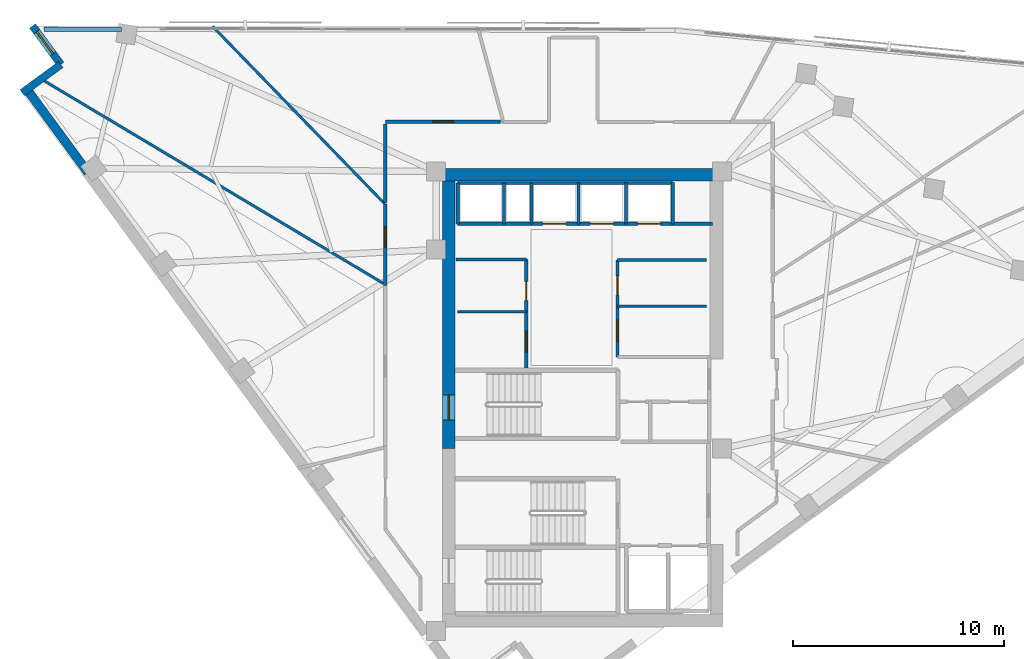
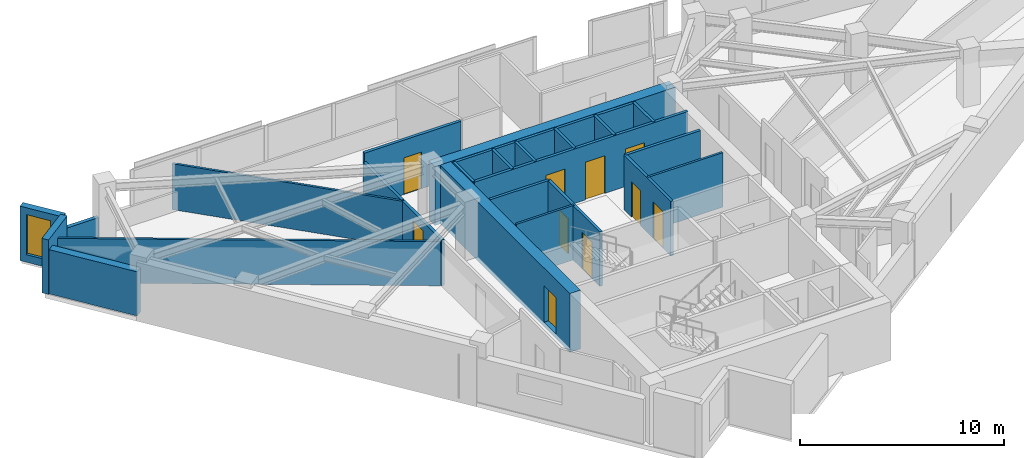
# One storey, part 9 of 14: 26 walls, 10 doors, 1 window, 11 openings.
"""IFC4 building model written with IfcOpenShell, lengths in metres."""

from ifc_helpers import new_model, si_unit, direction, frame, frame_2d, origin, place, context, subcontext, project, spatial, rectangle, extrude, material, layer, layer_set, type_object, element, fill, save


model = new_model("IFC4")

# Units and contexts
model_context = context("Model", 3, precision=1e-05, world=origin(), true_north=direction((0.0, 1.0)))
body_context = subcontext(model_context, "Body", "Model", "MODEL_VIEW")
ifc_project = project(units=[si_unit("LENGTHUNIT", "METRE"), si_unit("AREAUNIT", "SQUARE_METRE"), si_unit("VOLUMEUNIT", "CUBIC_METRE"), si_unit("PLANEANGLEUNIT", "RADIAN"), si_unit("MASSUNIT", "GRAM", prefix="KILO")], contexts=[model_context])

# Site, building, storey
site_placement = place(None, origin())
site = spatial("IfcSite", under=ifc_project, at=site_placement, CompositionType="ELEMENT")
building_placement = place(site_placement, origin())
building = spatial("IfcBuilding", under=site, at=building_placement, Name="Narakoshi Arena Tower", CompositionType="ELEMENT")
storey_placement = place(building_placement, frame((0.0, 0.0, 236.10009765625)))
storey = spatial("IfcBuildingStorey", under=building, at=storey_placement, Name="L64", CompositionType="ELEMENT", Elevation=236.10009765625)

# Wall, opening, door
ifc_material_1 = material(Name="Concrete C50/60", Category="concrete")
ifc_layer_1 = layer(ifc_material_1, 0.60009765625)
ifc_layer_set_1 = layer_set([ifc_layer_1], Name="Concrete C50/60")
wall_type_1 = type_object("IfcWallType", Name="WL-CORE-600", PredefinedType="SHEAR", material=ifc_layer_set_1)
wall_1_placement = place(storey_placement, frame((72.60009765625, 43.35009765625, -0.260009765625), z_axis=(0.0, 0.0, 1.0), x_axis=(0.0, 1.0, 0.0)))
wall_1 = element("IfcWall", 1, at=wall_1_placement, inside=storey, type_object=wall_type_1, Name="L64 Main Core Shear Wall CW-MN-W", PredefinedType="SHEAR", context=body_context, shape_type="SweptSolid", body=[
    extrude(rectangle(XDim=12.699951171875, YDim=0.60009765625, at=frame_2d((6.35009765625, 0.0))), origin(), (0.0, 0.0, 1.0), 3.52001953125),
])
opening_1_placement = place(wall_1_placement, frame((1.35009765625, 0.0, 0.260009765625)))
opening_1 = element("IfcOpeningElement", 2, at=opening_1_placement, cuts=wall_1, Name="Opening D-03", PredefinedType="OPENING", context=body_context, shape_type="SweptSolid", body=[
    extrude(rectangle(XDim=1.199951171875, YDim=2.199951171875, at=frame_2d((0.60009765625, 1.10009765625))), frame((0.0, 0.31005859375, 0.0), z_axis=(0.0, -1.0, 0.0), x_axis=(1.0, 0.0, 0.0)), (0.0, 0.0, 1.0), 0.6201171875),
])
ifc_material_2 = material(Name="Painted galvanized steel", Category="steel")
door_type_1 = type_object("IfcDoorType", Name="DR-STR-1200", OperationType="NOTDEFINED", PredefinedType="USERDEFINED", material=ifc_material_2)
door_1_placement = place(opening_1_placement, frame((1.199951171875, 0.0, 0.0), z_axis=(0.0, 0.0, 1.0), x_axis=(-1.0, 0.0, 0.0)))
door_1 = element("IfcDoor", 3, at=door_1_placement, inside=storey, type_object=door_type_1, Name="DR-L64-006", ObjectType="EXITDOOR", OperationType="SINGLE_SWING_LEFT", OverallHeight=2.199951171875, OverallWidth=1.199951171875, PredefinedType="USERDEFINED", context=body_context, shape_type="SweptSolid", body=[
    extrude(rectangle(XDim=1.199951171875, YDim=2.199951171875, at=frame_2d((0.60009765625, 1.10009765625))), frame((0.0, 0.02490234375, 0.0), z_axis=(0.0, -1.0, 0.0), x_axis=(1.0, 0.0, 0.0)), (0.0, 0.0, 1.0), 0.050048828125),
])
fill(opening_1, door_1)

# Wall
wall_2_placement = place(storey_placement, frame((72.0, 56.35009765625, -0.260009765625), z_axis=(0.0, 0.0, 1.0), x_axis=(1.0, 0.0, 0.0)))
element("IfcWall", 4, at=wall_2_placement, inside=storey, type_object=wall_type_1, Name="L64 Main Core Shear Wall CW-MN-N", PredefinedType="SHEAR", context=body_context, shape_type="SweptSolid", body=[
    extrude(rectangle(XDim=13.60009765625, YDim=0.60009765625, at=frame_2d((6.800048828125, 0.0))), origin(), (0.0, 0.0, 1.0), 3.52001953125),
])

# Wall, opening, door
ifc_material_3 = material(Name="Gypsum plasterboard fire-rated partition")
ifc_layer_2 = layer(ifc_material_3, 0.1650390625)
ifc_layer_set_2 = layer_set([ifc_layer_2], Name="Gypsum plasterboard fire-rated partition")
wall_type_2 = type_object("IfcWallType", Name="WL-CORR-165", PredefinedType="PARTITIONING", material=ifc_layer_set_2)
wall_3_placement = place(storey_placement, frame((69.588623046875, 54.960693359375, 0.0), z_axis=(0.0, 0.0, 1.0), x_axis=(0.0, -1.0, 0.0)))
wall_3 = element("IfcWall", 5, at=wall_3_placement, inside=storey, type_object=wall_type_2, Name="L64 Corridor Partition 07-1", PredefinedType="PARTITIONING", context=body_context, shape_type="SweptSolid", body=[
    extrude(rectangle(XDim=3.866455078125, YDim=0.1650390625, at=frame_2d((1.93310546875, 0.0))), origin(), (0.0, 0.0, 1.0), 2.744873046875),
])
opening_2_placement = place(wall_3_placement, frame((1.063232421875, 0.0, 0.0)))
opening_2 = element("IfcOpeningElement", 6, at=opening_2_placement, cuts=wall_3, Name="Opening D-06", PredefinedType="OPENING", context=body_context, shape_type="SweptSolid", body=[
    extrude(rectangle(XDim=1.0, YDim=2.199951171875, at=frame_2d((0.5, 1.10009765625))), frame((0.0, 0.092529296875, 0.0), z_axis=(0.0, -1.0, 0.0), x_axis=(1.0, 0.0, 0.0)), (0.0, 0.0, 1.0), 0.18505859375),
])
ifc_material_4 = material(Name="Stained oak solid-core timber", Category="wood")
door_type_2 = type_object("IfcDoorType", Name="DR-OFF-1000", OperationType="NOTDEFINED", PredefinedType="DOOR", material=ifc_material_4)
door_2_placement = place(opening_2_placement, frame((1.0, 0.0, 0.0), z_axis=(0.0, 0.0, 1.0), x_axis=(-1.0, 0.0, 0.0)))
door_2 = element("IfcDoor", 7, at=door_2_placement, inside=storey, type_object=door_type_2, Name="DR-L64-023", OperationType="SINGLE_SWING_RIGHT", OverallHeight=2.199951171875, OverallWidth=1.0, PredefinedType="DOOR", context=body_context, shape_type="SweptSolid", body=[
    extrude(rectangle(XDim=1.0, YDim=2.199951171875, at=frame_2d((0.5, 1.10009765625))), frame((0.0, 0.02490234375, 0.0), z_axis=(0.0, -1.0, 0.0), x_axis=(1.0, 0.0, 0.0)), (0.0, 0.0, 1.0), 0.050048828125),
])
fill(opening_2, door_2)

wall_4_placement = place(storey_placement, frame((75.0595703125, 58.861328125, 0.0), z_axis=(0.0, 0.0, 1.0), x_axis=(-1.0, 0.0, 0.0)))
wall_4 = element("IfcWall", 8, at=wall_4_placement, inside=storey, type_object=wall_type_2, Name="L64 Corridor Partition 08-1", PredefinedType="PARTITIONING", context=body_context, shape_type="SweptSolid", body=[
    extrude(rectangle(XDim=5.470947265625, YDim=0.1650390625, at=frame_2d((2.7353515625, 0.0))), origin(), (0.0, 0.0, 1.0), 3.260009765625),
])
opening_3_placement = place(wall_4_placement, frame((2.235595703125, 0.0, 0.0)))
opening_3 = element("IfcOpeningElement", 9, at=opening_3_placement, cuts=wall_4, Name="Opening D-06", PredefinedType="OPENING", context=body_context, shape_type="SweptSolid", body=[
    extrude(rectangle(XDim=1.0, YDim=2.199951171875, at=frame_2d((0.5, 1.10009765625))), frame((0.0, 0.092529296875, 0.0), z_axis=(0.0, -1.0, 0.0), x_axis=(1.0, 0.0, 0.0)), (0.0, 0.0, 1.0), 0.18505859375),
])
door_3_placement = place(opening_3_placement, frame((1.0, 0.0, 0.0), z_axis=(0.0, 0.0, 1.0), x_axis=(-1.0, 0.0, 0.0)))
door_3 = element("IfcDoor", 10, at=door_3_placement, inside=storey, type_object=door_type_2, Name="DR-L64-024", OperationType="SINGLE_SWING_LEFT", OverallHeight=2.199951171875, OverallWidth=1.0, PredefinedType="DOOR", context=body_context, shape_type="SweptSolid", body=[
    extrude(rectangle(XDim=1.0, YDim=2.199951171875, at=frame_2d((0.5, 1.10009765625))), frame((0.0, 0.02490234375, 0.0), z_axis=(0.0, -1.0, 0.0), x_axis=(1.0, 0.0, 0.0)), (0.0, 0.0, 1.0), 0.050048828125),
])
fill(opening_3, door_3)

# Walls
wall_5_placement = place(storey_placement, frame((69.588623046875, 58.766845703125, 0.0), z_axis=(0.0, 0.0, 1.0), x_axis=(0.0, -1.0, 0.0)))
element("IfcWall", 11, at=wall_5_placement, inside=storey, type_object=wall_type_2, Name="L64 Corridor Partition 08-2", PredefinedType="PARTITIONING", context=body_context, shape_type="SweptSolid", body=[
    extrude(rectangle(XDim=3.724853515625, YDim=0.1650390625, at=frame_2d((1.8623046875, 0.0))), origin(), (0.0, 0.0, 1.0), 2.744873046875),
])
ifc_material_5 = material(Name="Precast concrete C45/55", Category="concrete")
ifc_layer_3 = layer(ifc_material_5, 0.25)
ifc_layer_set_3 = layer_set([ifc_layer_3], Name="Precast concrete C45/55")
wall_type_3 = type_object("IfcWallType", Name="WL-PARA-250", PredefinedType="PARAPET", material=ifc_layer_set_3)
wall_6_placement = place(storey_placement, frame((57.064208984375, 63.240966796875, 0.0), z_axis=(0.0, 0.0, 1.0), x_axis=(-0.999998274159, 0.001857869529, 0.0)))
element("IfcWall", 12, at=wall_6_placement, inside=storey, type_object=wall_type_3, Name="L64 Hypotenuse Sill Upstand Parapet 2-02", PredefinedType="PARAPET", context=body_context, shape_type="SweptSolid", body=[
    extrude(rectangle(XDim=3.679443359375, YDim=0.199951171875, at=frame_2d((1.83984375, 0.0))), origin(), (0.0, 0.0, 1.0), 1.14990234375),
])
ifc_layer_4 = layer(ifc_material_3, 0.125)
ifc_layer_set_4 = layer_set([ifc_layer_4], Name="Gypsum plasterboard fire-rated partition")
wall_type_4 = type_object("IfcWallType", Name="WL-PART-125", PredefinedType="PARTITIONING", material=ifc_layer_set_4)
wall_7_placement = place(storey_placement, frame((73.0, 49.85009765625, 0.0), z_axis=(0.0, 0.0, 1.0), x_axis=(1.0, 0.0, 0.0)))
element("IfcWall", 13, at=wall_7_placement, inside=storey, type_object=wall_type_4, Name="L64 Core Wall RCL-LR-D0", PredefinedType="PARTITIONING", context=body_context, shape_type="SweptSolid", body=[
    extrude(rectangle(XDim=3.280029296875, YDim=0.125, at=frame_2d((1.64013671875, 0.0))), origin(), (0.0, 0.0, 1.0), 3.260009765625),
])
wall_8_placement = place(storey_placement, frame((80.60009765625, 50.10009765625, 0.0), z_axis=(0.0, 0.0, 1.0), x_axis=(1.0, 0.0, 0.0)))
element("IfcWall", 14, at=wall_8_placement, inside=storey, type_object=wall_type_4, Name="L64 Core Wall RCL-MR-D", PredefinedType="PARTITIONING", context=body_context, shape_type="SweptSolid", body=[
    extrude(rectangle(XDim=4.219970703125, YDim=0.125, at=frame_2d((2.10986328125, 0.0))), origin(), (0.0, 0.0, 1.0), 3.260009765625),
])
wall_9_placement = place(storey_placement, frame((61.384521484375, 63.393310546875, 0.0), z_axis=(0.0, 0.0, 1.0), x_axis=(0.696238655878, -0.717810374724, 0.0)))
element("IfcWall", 15, at=wall_9_placement, inside=storey, type_object=wall_type_4, Name="L64 Inter-Room Partition 07-08", PredefinedType="PARTITIONING", context=body_context, shape_type="SweptSolid", body=[
    extrude(rectangle(XDim=11.747802734375, YDim=0.125, at=frame_2d((5.8740234375, 0.0))), origin(), (0.0, 0.0, 1.0), 2.744873046875),
])
wall_10_placement = place(storey_placement, frame((69.494140625, 51.1923828125, 0.0), z_axis=(0.0, 0.0, 1.0), x_axis=(-0.858567015672, 0.512701355177, 0.0)))
element("IfcWall", 16, at=wall_10_placement, inside=storey, type_object=wall_type_4, Name="L64 Inter-Room Partition 07-09", PredefinedType="PARTITIONING", context=body_context, shape_type="SweptSolid", body=[
    extrude(rectangle(XDim=18.919677734375, YDim=0.125, at=frame_2d((9.4599609375, 0.0))), origin(), (0.0, 0.0, 1.0), 2.64501953125),
])
ifc_layer_5 = layer(ifc_material_5, 0.419921875)
ifc_layer_set_5 = layer_set([ifc_layer_5], Name="Precast concrete C45/55")
wall_type_5 = type_object("IfcWallType", Name="WL-POD-420", PredefinedType="SOLIDWALL", material=ifc_layer_set_5)
wall_11_placement = place(storey_placement, frame((52.578857421875, 60.400390625, 0.0), z_axis=(0.0, 0.0, 1.0), x_axis=(0.591311800505, -0.806443026248, 0.0)))
element("IfcWall", 17, at=wall_11_placement, inside=storey, type_object=wall_type_5, Name="L64 Architectural Concrete Facade Wall LEGB-1", PredefinedType="SOLIDWALL", context=body_context, shape_type="SweptSolid", body=[
    extrude(rectangle(XDim=4.89794921875, YDim=0.419921875, at=frame_2d((2.448974609375, 0.0))), origin(), (0.0, 0.0, 1.0), 2.64501953125),
])

# Wall, opening, window
wall_12_placement = place(storey_placement, frame((52.84521484375, 63.40869140625, 0.0), z_axis=(0.0, 0.0, 1.0), x_axis=(0.591251685745, -0.806487101015, 0.0)))
wall_12 = element("IfcWall", 18, at=wall_12_placement, inside=storey, type_object=wall_type_5, Name="L64 Re-Entrant Corner Notch Wall NTN-1", PredefinedType="SOLIDWALL", context=body_context, shape_type="SweptSolid", body=[
    extrude(rectangle(XDim=2.2685546875, YDim=0.360107421875, at=frame_2d((1.13427734375, 0.0))), origin(), (0.0, 0.0, 1.0), 3.260009765625),
])
opening_4_placement = place(wall_12_placement, frame((0.340087890625, 0.0, 0.449951171875)))
opening_4 = element("IfcOpeningElement", 19, at=opening_4_placement, cuts=wall_12, Name="Opening WN-06", PredefinedType="OPENING", context=body_context, shape_type="SweptSolid", body=[
    extrude(rectangle(XDim=1.300048828125, YDim=2.39990234375, at=frame_2d((0.64990234375, 1.199951171875))), frame((0.0, 0.18994140625, 0.0), z_axis=(0.0, -1.0, 0.0), x_axis=(1.0, 0.0, 0.0)), (0.0, 0.0, 1.0), 0.380126953125),
])
ifc_material_6 = material(Name="Bronze-tinted low-E laminated glass", Category="glass")
window_type = type_object("IfcWindowType", Name="WIN-NTC-16x24", PartitioningType="SINGLE_PANEL", PredefinedType="WINDOW", material=ifc_material_6)
window_placement = place(opening_4_placement, origin())
window = element("IfcWindow", 20, at=window_placement, inside=storey, type_object=window_type, Name="L64 Corner Notch Window NTN", OverallHeight=2.39990234375, OverallWidth=1.300048828125, PartitioningType="SINGLE_PANEL", PredefinedType="WINDOW", context=body_context, shape_type="SweptSolid", body=[
    extrude(rectangle(XDim=1.300048828125, YDim=2.39990234375, at=frame_2d((0.64990234375, 1.199951171875))), frame((0.0, 0.030029296875, 0.0), z_axis=(0.0, -1.0, 0.0), x_axis=(1.0, 0.0, 0.0)), (0.0, 0.0, 1.0), 0.06005859375),
])
fill(opening_4, window)

# Walls
wall_13_placement = place(storey_placement, frame((54.1865234375, 61.5791015625, 0.0), z_axis=(0.0, 0.0, 1.0), x_axis=(-0.806449475274, -0.591303005092, 0.0)))
element("IfcWall", 21, at=wall_13_placement, inside=storey, type_object=wall_type_5, Name="L64 Re-Entrant Corner Notch Wall NTN-2", PredefinedType="SOLIDWALL", context=body_context, shape_type="SweptSolid", body=[
    extrude(rectangle(XDim=2.268310546875, YDim=0.360107421875, at=frame_2d((1.13427734375, 0.0))), origin(), (0.0, 0.0, 1.0), 3.260009765625),
])
ifc_material_7 = material(Name="Concrete C40/50", Category="concrete")
ifc_layer_6 = layer(ifc_material_7, 0.280029296875)
ifc_layer_set_6 = layer_set([ifc_layer_6], Name="Concrete C40/50")
wall_type_6 = type_object("IfcWallType", Name="WL-RISER-280", PredefinedType="PLUMBINGWALL", material=ifc_layer_set_6)
for number, where, z_axis, x_axis, name in (
    (22, (73.02001953125, 54.02001953125, 0.0), (0.0, 0.0, 1.0), (0.0, 1.0, 0.0), "L64 Core Wall OBS-W"),
    (23, (75.219970703125, 54.02001953125, 0.0), (0.0, 0.0, 1.0), (0.0, 1.0, 0.0), "L64 Core Wall OBS-M"),
):
    element("IfcWall", number, at=place(storey_placement, frame(where, z_axis=z_axis, x_axis=x_axis)), inside=storey, type_object=wall_type_6, Name=name, PredefinedType="PLUMBINGWALL", context=body_context, shape_type="SweptSolid", body=[
        extrude(rectangle(XDim=1.93994140625, YDim=0.14990234375, at=frame_2d((0.969970703125, 0.0))), origin(), (0.0, 0.0, 1.0), 3.260009765625),
    ])
for number, where, z_axis, x_axis, name in (
    (24, (78.75, 54.02001953125, 0.0), (0.0, 0.0, 1.0), (0.0, 1.0, 0.0), "L64 Core Wall HR-D1"),
    (25, (81.0, 54.02001953125, 0.0), (0.0, 0.0, 1.0), (0.0, 1.0, 0.0), "L64 Core Wall HR-D2"),
):
    element("IfcWall", number, at=place(storey_placement, frame(where, z_axis=z_axis, x_axis=x_axis)), inside=storey, type_object=wall_type_6, Name=name, PredefinedType="PLUMBINGWALL", context=body_context, shape_type="SweptSolid", body=[
        extrude(rectangle(XDim=1.9599609375, YDim=0.14990234375, at=frame_2d((0.97998046875, 0.0))), origin(), (0.0, 0.0, 1.0), 3.260009765625),
    ])

# Wall, openings, doors
ifc_layer_7 = layer(ifc_material_1, 0.35009765625)
ifc_layer_set_7 = layer_set([ifc_layer_7], Name="Concrete C50/60")
wall_type_7 = type_object("IfcWallType", Name="WL-SHAFT-350", PredefinedType="SOLIDWALL", material=ifc_layer_set_7)
wall_14_placement = place(storey_placement, frame((76.280029296875, 47.179931640625, 0.0), z_axis=(0.0, 0.0, 1.0), x_axis=(0.0, 1.0, 0.0)))
wall_14 = element("IfcWall", 26, at=wall_14_placement, inside=storey, type_object=wall_type_7, Name="L64 Core Wall LR-E", PredefinedType="SOLIDWALL", context=body_context, shape_type="SweptSolid", body=[
    extrude(rectangle(XDim=5.14013671875, YDim=0.159912109375, at=frame_2d((2.570068359375, 0.0))), origin(), (0.0, 0.0, 1.0), 3.260009765625),
])
opening_5_placement = place(wall_14_placement, frame((0.75, 0.0, 0.0)))
opening_5 = element("IfcOpeningElement", 27, at=opening_5_placement, cuts=wall_14, Name="Opening D-06", PredefinedType="OPENING", context=body_context, shape_type="SweptSolid", body=[
    extrude(rectangle(XDim=1.0, YDim=2.199951171875, at=frame_2d((0.5, 1.10009765625))), frame((0.0, 0.08984375, 0.0), z_axis=(0.0, -1.0, 0.0), x_axis=(1.0, 0.0, 0.0)), (0.0, 0.0, 1.0), 0.179931640625),
])
opening_6_placement = place(wall_14_placement, frame((3.199951171875, 0.0, 0.0)))
opening_6 = element("IfcOpeningElement", 28, at=opening_6_placement, cuts=wall_14, Name="Opening D-08", PredefinedType="OPENING", context=body_context, shape_type="SweptSolid", body=[
    extrude(rectangle(XDim=0.89990234375, YDim=2.10009765625, at=frame_2d((0.449951171875, 1.050048828125))), frame((0.0, 0.08984375, 0.0), z_axis=(0.0, -1.0, 0.0), x_axis=(1.0, 0.0, 0.0)), (0.0, 0.0, 1.0), 0.179931640625),
])
door_4_placement = place(opening_5_placement, frame((1.0, 0.0, 0.0), z_axis=(0.0, 0.0, 1.0), x_axis=(-1.0, 0.0, 0.0)))
door_4 = element("IfcDoor", 29, at=door_4_placement, inside=storey, type_object=door_type_2, Name="DR-L64-010", OperationType="SINGLE_SWING_LEFT", OverallHeight=2.199951171875, OverallWidth=1.0, PredefinedType="DOOR", context=body_context, shape_type="SweptSolid", body=[
    extrude(rectangle(XDim=1.0, YDim=2.199951171875, at=frame_2d((0.5, 1.10009765625))), frame((0.0, 0.02490234375, 0.0), z_axis=(0.0, -1.0, 0.0), x_axis=(1.0, 0.0, 0.0)), (0.0, 0.0, 1.0), 0.050048828125),
])
fill(opening_5, door_4)
ifc_material_8 = material(Name="Moisture-resistant laminate timber", Category="wood")
door_type_3 = type_object("IfcDoorType", Name="DR-WC-900", OperationType="NOTDEFINED", PredefinedType="DOOR", material=ifc_material_8)
door_5_placement = place(opening_6_placement, frame((0.89990234375, 0.0, 0.0), z_axis=(0.0, 0.0, 1.0), x_axis=(-1.0, 0.0, 0.0)))
door_5 = element("IfcDoor", 30, at=door_5_placement, inside=storey, type_object=door_type_3, Name="DR-L64-011", OperationType="SINGLE_SWING_RIGHT", OverallHeight=2.10009765625, OverallWidth=0.89990234375, PredefinedType="DOOR", context=body_context, shape_type="SweptSolid", body=[
    extrude(rectangle(XDim=0.89990234375, YDim=2.10009765625, at=frame_2d((0.449951171875, 1.050048828125))), frame((0.0, 0.02490234375, 0.0), z_axis=(0.0, -1.0, 0.0), x_axis=(1.0, 0.0, 0.0)), (0.0, 0.0, 1.0), 0.050048828125),
])
fill(opening_6, door_5)

# Wall
wall_15_placement = place(storey_placement, frame((72.949951171875, 52.320068359375, 0.0), z_axis=(0.0, 0.0, 1.0), x_axis=(1.0, 0.0, 0.0)))
element("IfcWall", 31, at=wall_15_placement, inside=storey, type_object=wall_type_7, Name="L64 Core Wall LR-N", PredefinedType="SOLIDWALL", context=body_context, shape_type="SweptSolid", body=[
    extrude(rectangle(XDim=3.330078125, YDim=0.14990234375, at=frame_2d((1.6650390625, 0.0))), origin(), (0.0, 0.0, 1.0), 3.260009765625),
])

# Wall, openings, doors
wall_16_placement = place(storey_placement, frame((80.60009765625, 47.699951171875, 0.0), z_axis=(0.0, 0.0, 1.0), x_axis=(0.0, 1.0, 0.0)))
wall_16 = element("IfcWall", 32, at=wall_16_placement, inside=storey, type_object=wall_type_7, Name="L64 Core Wall MR-W", PredefinedType="SOLIDWALL", context=body_context, shape_type="SweptSolid", body=[
    extrude(rectangle(XDim=4.60009765625, YDim=0.159912109375, at=frame_2d((2.300048828125, 0.0))), origin(), (0.0, 0.0, 1.0), 3.260009765625),
])
opening_7_placement = place(wall_16_placement, frame((0.75, 0.0, 0.0)))
opening_7 = element("IfcOpeningElement", 33, at=opening_7_placement, cuts=wall_16, Name="Opening D-06", PredefinedType="OPENING", context=body_context, shape_type="SweptSolid", body=[
    extrude(rectangle(XDim=1.0, YDim=2.199951171875, at=frame_2d((0.5, 1.10009765625))), frame((0.0, 0.08984375, 0.0), z_axis=(0.0, -1.0, 0.0), x_axis=(1.0, 0.0, 0.0)), (0.0, 0.0, 1.0), 0.179931640625),
])
opening_8_placement = place(wall_16_placement, frame((2.949951171875, 0.0, 0.0)))
opening_8 = element("IfcOpeningElement", 34, at=opening_8_placement, cuts=wall_16, Name="Opening D-08", PredefinedType="OPENING", context=body_context, shape_type="SweptSolid", body=[
    extrude(rectangle(XDim=0.89990234375, YDim=2.10009765625, at=frame_2d((0.449951171875, 1.050048828125))), frame((0.0, 0.08984375, 0.0), z_axis=(0.0, -1.0, 0.0), x_axis=(1.0, 0.0, 0.0)), (0.0, 0.0, 1.0), 0.179931640625),
])
door_6_placement = place(opening_7_placement, origin())
door_6 = element("IfcDoor", 35, at=door_6_placement, inside=storey, type_object=door_type_2, Name="DR-L64-012", OperationType="SINGLE_SWING_RIGHT", OverallHeight=2.199951171875, OverallWidth=1.0, PredefinedType="DOOR", context=body_context, shape_type="SweptSolid", body=[
    extrude(rectangle(XDim=1.0, YDim=2.199951171875, at=frame_2d((0.5, 1.10009765625))), frame((0.0, 0.02490234375, 0.0), z_axis=(0.0, -1.0, 0.0), x_axis=(1.0, 0.0, 0.0)), (0.0, 0.0, 1.0), 0.050048828125),
])
fill(opening_7, door_6)
door_7_placement = place(opening_8_placement, origin())
door_7 = element("IfcDoor", 36, at=door_7_placement, inside=storey, type_object=door_type_3, Name="DR-L64-013", OperationType="SINGLE_SWING_LEFT", OverallHeight=2.10009765625, OverallWidth=0.89990234375, PredefinedType="DOOR", context=body_context, shape_type="SweptSolid", body=[
    extrude(rectangle(XDim=0.89990234375, YDim=2.10009765625, at=frame_2d((0.449951171875, 1.050048828125))), frame((0.0, 0.02490234375, 0.0), z_axis=(0.0, -1.0, 0.0), x_axis=(1.0, 0.0, 0.0)), (0.0, 0.0, 1.0), 0.050048828125),
])
fill(opening_8, door_7)

# Wall
wall_17_placement = place(storey_placement, frame((80.60009765625, 52.300048828125, 0.0), z_axis=(0.0, 0.0, 1.0), x_axis=(1.0, 0.0, 0.0)))
element("IfcWall", 37, at=wall_17_placement, inside=storey, type_object=wall_type_7, Name="L64 Core Wall MR-N", PredefinedType="SOLIDWALL", context=body_context, shape_type="SweptSolid", body=[
    extrude(rectangle(XDim=4.219970703125, YDim=0.159912109375, at=frame_2d((2.10986328125, 0.0))), origin(), (0.0, 0.0, 1.0), 3.260009765625),
])

# Wall, openings, doors
wall_18_placement = place(storey_placement, frame((73.02001953125, 54.02001953125, 0.0), z_axis=(0.0, 0.0, 1.0), x_axis=(1.0, 0.0, 0.0)))
wall_18 = element("IfcWall", 38, at=wall_18_placement, inside=storey, type_object=wall_type_7, Name="L64 Core Wall NSHF-S", PredefinedType="SOLIDWALL", context=body_context, shape_type="SweptSolid", body=[
    extrude(rectangle(XDim=12.080078125, YDim=0.159912109375, at=frame_2d((6.0400390625, 0.0))), origin(), (0.0, 0.0, 1.0), 3.260009765625),
])
opening_9_placement = place(wall_18_placement, frame((4.030029296875, 0.0, 0.0)))
opening_9 = element("IfcOpeningElement", 39, at=opening_9_placement, cuts=wall_18, Name="Opening LD-01", PredefinedType="OPENING", context=body_context, shape_type="SweptSolid", body=[
    extrude(rectangle(XDim=1.10009765625, YDim=2.25, at=frame_2d((0.550048828125, 1.125))), frame((0.0, 0.08984375, 0.0), z_axis=(0.0, -1.0, 0.0), x_axis=(1.0, 0.0, 0.0)), (0.0, 0.0, 1.0), 0.179931640625),
])
opening_10_placement = place(wall_18_placement, frame((6.280029296875, 0.0, 0.0)))
opening_10 = element("IfcOpeningElement", 40, at=opening_10_placement, cuts=wall_18, Name="Opening LD-01", PredefinedType="OPENING", context=body_context, shape_type="SweptSolid", body=[
    extrude(rectangle(XDim=1.10009765625, YDim=2.25, at=frame_2d((0.550048828125, 1.125))), frame((0.0, 0.08984375, 0.0), z_axis=(0.0, -1.0, 0.0), x_axis=(1.0, 0.0, 0.0)), (0.0, 0.0, 1.0), 0.179931640625),
])
opening_11_placement = place(wall_18_placement, frame((8.530029296875, 0.0, 0.0)))
opening_11 = element("IfcOpeningElement", 41, at=opening_11_placement, cuts=wall_18, Name="Opening LD-01", PredefinedType="OPENING", context=body_context, shape_type="SweptSolid", body=[
    extrude(rectangle(XDim=1.10009765625, YDim=2.25, at=frame_2d((0.550048828125, 1.125))), frame((0.0, 0.08984375, 0.0), z_axis=(0.0, -1.0, 0.0), x_axis=(1.0, 0.0, 0.0)), (0.0, 0.0, 1.0), 0.179931640625),
])
ifc_material_9 = material(Name="Brushed bronze stainless steel", Category="steel")
door_type_4 = type_object("IfcDoorType", Name="DR-LFT-1100", OperationType="DOUBLE_DOOR_SLIDING", PredefinedType="DOOR", material=ifc_material_9)
door_8_placement = place(opening_9_placement, origin())
door_8 = element("IfcDoor", 42, at=door_8_placement, inside=storey, type_object=door_type_4, Name="DR-L64-014", OperationType="DOUBLE_DOOR_SLIDING", OverallHeight=2.25, OverallWidth=1.10009765625, PredefinedType="DOOR", context=body_context, shape_type="SweptSolid", body=[
    extrude(rectangle(XDim=1.10009765625, YDim=2.25, at=frame_2d((0.550048828125, 1.125))), frame((0.0, 0.02490234375, 0.0), z_axis=(0.0, -1.0, 0.0), x_axis=(1.0, 0.0, 0.0)), (0.0, 0.0, 1.0), 0.050048828125),
])
fill(opening_9, door_8)
door_9_placement = place(opening_10_placement, origin())
door_9 = element("IfcDoor", 43, at=door_9_placement, inside=storey, type_object=door_type_4, Name="DR-L64-015", OperationType="DOUBLE_DOOR_SLIDING", OverallHeight=2.25, OverallWidth=1.10009765625, PredefinedType="DOOR", context=body_context, shape_type="SweptSolid", body=[
    extrude(rectangle(XDim=1.10009765625, YDim=2.25, at=frame_2d((0.550048828125, 1.125))), frame((0.0, 0.02490234375, 0.0), z_axis=(0.0, -1.0, 0.0), x_axis=(1.0, 0.0, 0.0)), (0.0, 0.0, 1.0), 0.050048828125),
])
fill(opening_10, door_9)
door_10_placement = place(opening_11_placement, origin())
door_10 = element("IfcDoor", 44, at=door_10_placement, inside=storey, type_object=door_type_4, Name="DR-L64-016", OperationType="DOUBLE_DOOR_SLIDING", OverallHeight=2.25, OverallWidth=1.10009765625, PredefinedType="DOOR", context=body_context, shape_type="SweptSolid", body=[
    extrude(rectangle(XDim=1.10009765625, YDim=2.25, at=frame_2d((0.550048828125, 1.125))), frame((0.0, 0.02490234375, 0.0), z_axis=(0.0, -1.0, 0.0), x_axis=(1.0, 0.0, 0.0)), (0.0, 0.0, 1.0), 0.050048828125),
])
fill(opening_11, door_10)

# Walls
wall_19_placement = place(storey_placement, frame((73.02001953125, 55.9599609375, 0.0), z_axis=(0.0, 0.0, 1.0), x_axis=(1.0, 0.0, 0.0)))
element("IfcWall", 45, at=wall_19_placement, inside=storey, type_object=wall_type_7, Name="L64 Core Wall OBS-N", PredefinedType="SOLIDWALL", context=body_context, shape_type="SweptSolid", body=[
    extrude(rectangle(XDim=3.5, YDim=0.14990234375, at=frame_2d((1.75, 0.0))), origin(), (0.0, 0.0, 1.0), 3.260009765625),
])
wall_20_placement = place(storey_placement, frame((76.52001953125, 54.02001953125, 0.0), z_axis=(0.0, 0.0, 1.0), x_axis=(0.0, 1.0, 0.0)))
element("IfcWall", 46, at=wall_20_placement, inside=storey, type_object=wall_type_7, Name="L64 Core Wall OBS-E", PredefinedType="SOLIDWALL", context=body_context, shape_type="SweptSolid", body=[
    extrude(rectangle(XDim=1.93994140625, YDim=0.14990234375, at=frame_2d((0.969970703125, 0.0))), origin(), (0.0, 0.0, 1.0), 3.260009765625),
])
wall_21_placement = place(storey_placement, frame((83.219970703125, 54.02001953125, 0.0), z_axis=(0.0, 0.0, 1.0), x_axis=(0.0, 1.0, 0.0)))
element("IfcWall", 47, at=wall_21_placement, inside=storey, type_object=wall_type_7, Name="L64 Core Wall HR-E", PredefinedType="SOLIDWALL", context=body_context, shape_type="SweptSolid", body=[
    extrude(rectangle(XDim=1.9599609375, YDim=0.14990234375, at=frame_2d((0.97998046875, 0.0))), origin(), (0.0, 0.0, 1.0), 3.260009765625),
])
wall_22_placement = place(storey_placement, frame((76.52001953125, 55.9599609375, 0.0), z_axis=(0.0, 0.0, 1.0), x_axis=(1.0, 0.0, 0.0)))
element("IfcWall", 48, at=wall_22_placement, inside=storey, type_object=wall_type_7, Name="L64 Core Wall HR-N", PredefinedType="SOLIDWALL", context=body_context, shape_type="SweptSolid", body=[
    extrude(rectangle(XDim=6.699951171875, YDim=0.14990234375, at=frame_2d((3.35009765625, 0.0))), origin(), (0.0, 0.0, 1.0), 3.260009765625),
])

save(model, "model.ifc")
